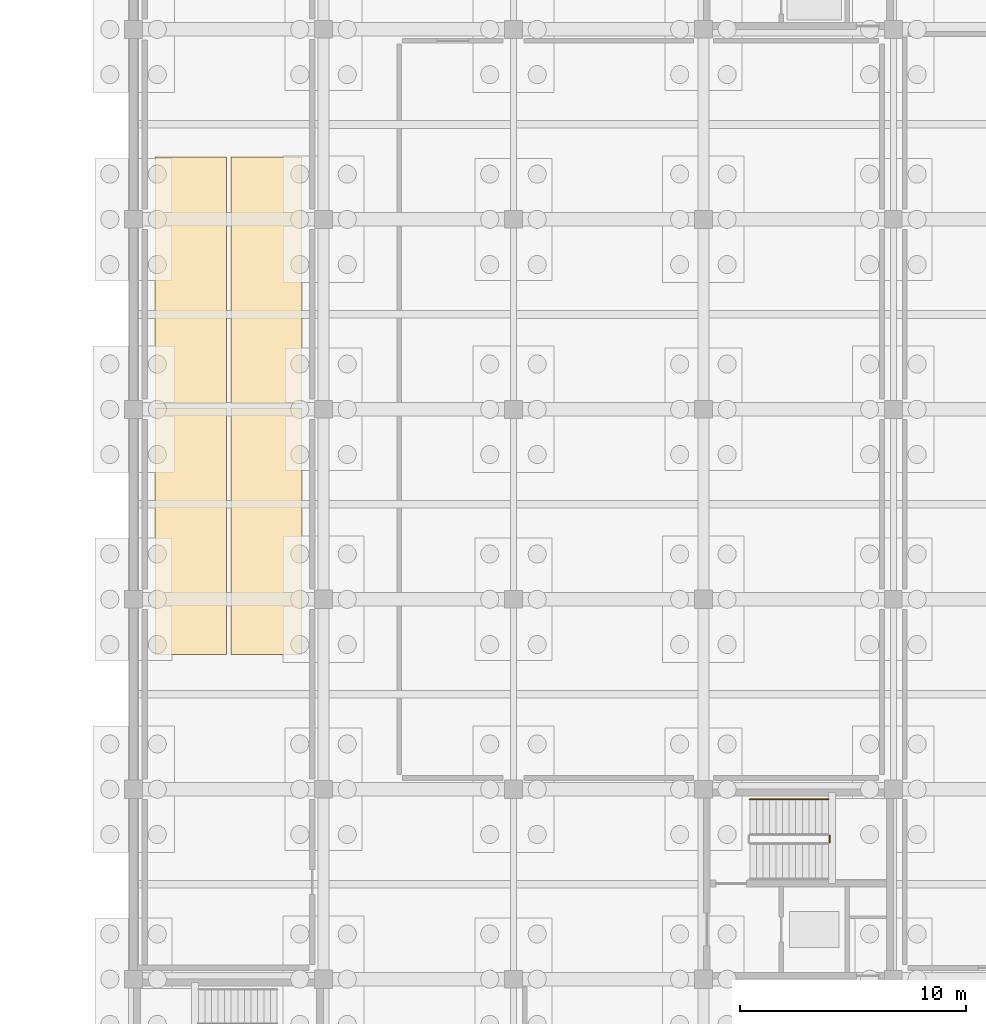
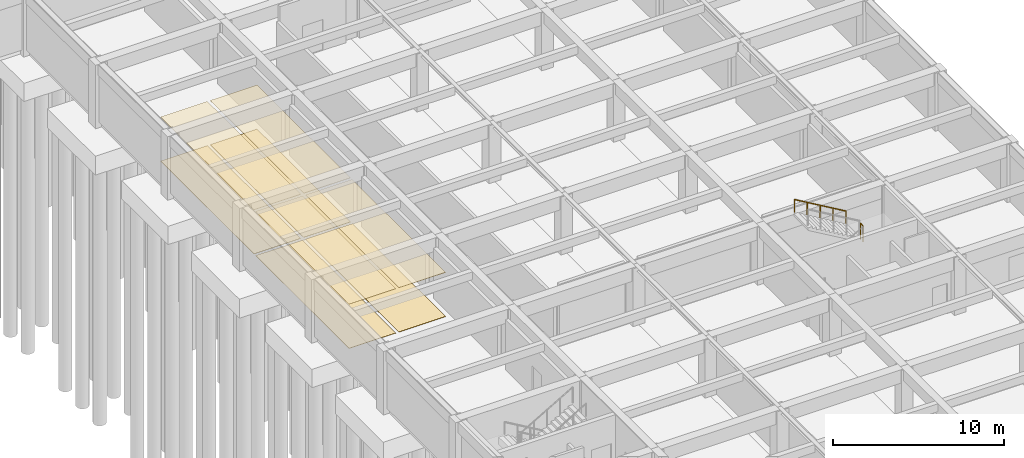
# One storey, part 31 of 33: 8 coverings, 2 railings.
"""IFC4 building model written with IfcOpenShell, lengths in metres."""

from ifc_helpers import new_model, si_unit, direction, frame, origin, origin_2d, place, context, subcontext, project, spatial, rectangle, circle, extrude, material, layer, layer_set, type_object, element, save


model = new_model("IFC4")

# Units and contexts
model_context = context("Model", 3, precision=1e-05, world=origin(), true_north=direction((0.0, 1.0)))
body_context = subcontext(model_context, "Body", "Model", "MODEL_VIEW")
ifc_project = project(units=[si_unit("LENGTHUNIT", "METRE"), si_unit("AREAUNIT", "SQUARE_METRE"), si_unit("VOLUMEUNIT", "CUBIC_METRE"), si_unit("PLANEANGLEUNIT", "RADIAN"), si_unit("MASSUNIT", "GRAM", prefix="KILO")], contexts=[model_context])

# Site, building, storey
site_placement = place(None, origin())
site = spatial("IfcSite", under=ifc_project, at=site_placement, CompositionType="ELEMENT")
building_placement = place(site_placement, origin())
building = spatial("IfcBuilding", under=site, at=building_placement, Name="Kveldsbrygga Polytechnic", CompositionType="ELEMENT")
storey_placement = place(building_placement, frame((0.0, 0.0, -4.419921875)))
storey = spatial("IfcBuildingStorey", under=building, at=storey_placement, Name="B1", CompositionType="ELEMENT", Elevation=-4.419921875)

# Coverings
ifc_material_1 = material(Name="Acoustic mineral baffle ceiling")
ifc_layer_1 = layer(ifc_material_1, 0.030029296875)
ifc_layer_set_1 = layer_set([ifc_layer_1], Name="Acoustic mineral baffle ceiling")
covering_type_1 = type_object("IfcCoveringType", Name="COV-CEIL-AC30", PredefinedType="CEILING", material=ifc_layer_set_1)
for number, where, z_axis, x_axis, name in (
    (1, (128.52490234375, 53.39990234375, 3.14013671875), (0.0, 0.0, 1.0), (1.0, 0.0, 0.0), "Acoustic Ceiling SP-B1-ARCH1-WS"),
    (2, (128.52490234375, 64.5, 3.14013671875), (0.0, 0.0, 1.0), (1.0, 0.0, 0.0), "Acoustic Ceiling SP-B1-ARCH1-WN"),
    (3, (131.875, 53.39990234375, 3.14013671875), (0.0, 0.0, 1.0), (1.0, 0.0, 0.0), "Acoustic Ceiling SP-B1-ARCH1-ES"),
    (4, (131.875, 64.5, 3.14013671875), (0.0, 0.0, 1.0), (1.0, 0.0, 0.0), "Acoustic Ceiling SP-B1-ARCH1-EN"),
):
    element("IfcCovering", number, at=place(storey_placement, frame(where, z_axis=z_axis, x_axis=x_axis)), inside=storey, type_object=covering_type_1, Name=name, PredefinedType="CEILING", context=body_context, shape_type="SweptSolid", body=[
        extrude(rectangle(XDim=3.14990234375, YDim=10.89990234375, at=origin_2d()), origin(), (0.0, 0.0, 1.0), 0.030029296875),
    ])
ifc_material_2 = material(Name="Acoustic oak timber flooring", Category="wood")
ifc_layer_2 = layer(ifc_material_2, 0.02197265625)
ifc_layer_set_2 = layer_set([ifc_layer_2], Name="Acoustic oak timber flooring")
covering_type_2 = type_object("IfcCoveringType", Name="COV-FLR-OAK22", PredefinedType="FLOORING", material=ifc_layer_set_2)
for number, where, z_axis, x_axis, name in (
    (5, (128.52490234375, 53.39990234375, 0.0), (0.0, 0.0, 1.0), (1.0, 0.0, 0.0), "Room Flooring SP-B1-ARCH1-WS"),
    (6, (128.52490234375, 64.5, 0.0), (0.0, 0.0, 1.0), (1.0, 0.0, 0.0), "Room Flooring SP-B1-ARCH1-WN"),
    (7, (131.875, 53.39990234375, 0.0), (0.0, 0.0, 1.0), (1.0, 0.0, 0.0), "Room Flooring SP-B1-ARCH1-ES"),
    (8, (131.875, 64.5, 0.0), (0.0, 0.0, 1.0), (1.0, 0.0, 0.0), "Room Flooring SP-B1-ARCH1-EN"),
):
    element("IfcCovering", number, at=place(storey_placement, frame(where, z_axis=z_axis, x_axis=x_axis)), inside=storey, type_object=covering_type_2, Name=name, PredefinedType="FLOORING", context=body_context, shape_type="SweptSolid", body=[
        extrude(rectangle(XDim=3.14990234375, YDim=10.89990234375, at=origin_2d()), origin(), (0.0, 0.0, 1.0), 0.02197265625),
    ])

# Railings
ifc_material_3 = material(Name="Steel S355", Category="steel")
railing_type_1 = type_object("IfcRailingType", Name="RL-STAIR-GRD", PredefinedType="GUARDRAIL", material=ifc_material_3)
railing_1_placement = place(storey_placement, frame((156.780029296875, 39.64990234375, 2.2099609375)))
element("IfcRailing", 9, at=railing_1_placement, inside=storey, type_object=railing_type_1, Name="B1 ST-3 stair guard 2", PredefinedType="GUARDRAIL", context=body_context, shape_type="SweptSolid", body=[
    extrude(circle(Radius=0.02392578125, at=origin_2d()), frame((0.0, 0.0, 1.1259765625), z_axis=(0.0, 1.0, 0.0), x_axis=(-1.0, 0.0, 0.0)), (0.0, 0.0, 1.0), 0.300048828125),
    extrude(circle(Radius=0.02099609375, at=origin_2d()), origin(), (0.0, 0.0, 1.0), 1.097900390625),
    extrude(circle(Radius=0.02099609375, at=origin_2d()), frame((0.0, 0.300048828125, 0.0)), (0.0, 0.0, 1.0), 1.097900390625),
])
railing_type_2 = type_object("IfcRailingType", Name="RL-STAIR-HND", PredefinedType="HANDRAIL", material=ifc_material_3)
railing_2_placement = place(storey_placement, frame((156.72998046875, 41.550048828125, 2.3798828125)))
element("IfcRailing", 10, at=railing_2_placement, inside=storey, type_object=railing_type_2, Name="B1 ST-3 stair handrail 2", PredefinedType="HANDRAIL", context=body_context, shape_type="SweptSolid", body=[
    extrude(circle(Radius=0.02392578125, at=origin_2d()), frame((0.0, 0.0, 0.8759765625), z_axis=(-0.862692506924, 0.0, 0.505728819128), x_axis=(0.0, -1.0, 0.0)), (0.0, 0.0, 1.0), 4.033935546875),
    extrude(circle(Radius=0.02099609375, at=origin_2d()), origin(), (0.0, 0.0, 1.0), 0.847900390625),
    extrude(circle(Radius=0.02099609375, at=origin_2d()), frame((-0.8701171875, 0.0, 0.510009765625)), (0.0, 0.0, 1.0), 0.847900390625),
    extrude(circle(Radius=0.02099609375, at=origin_2d()), frame((-1.739990234375, 0.0, 1.02001953125)), (0.0, 0.0, 1.0), 0.847900390625),
    extrude(circle(Radius=0.02099609375, at=origin_2d()), frame((-2.60986328125, 0.0, 1.530029296875)), (0.0, 0.0, 1.0), 0.847900390625),
    extrude(circle(Radius=0.02099609375, at=origin_2d()), frame((-3.47998046875, 0.0, 2.0400390625)), (0.0, 0.0, 1.0), 0.847900390625),
])

save(model, "model.ifc")
